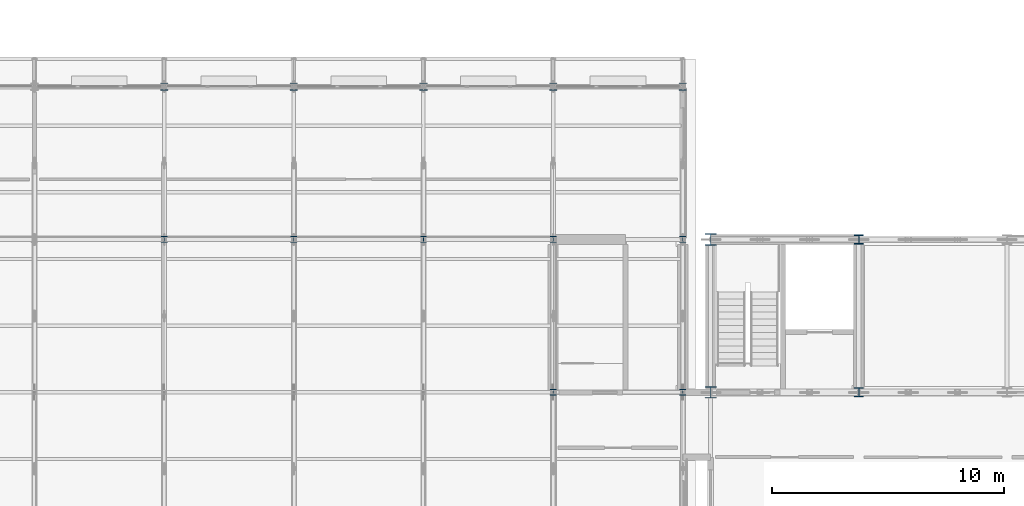
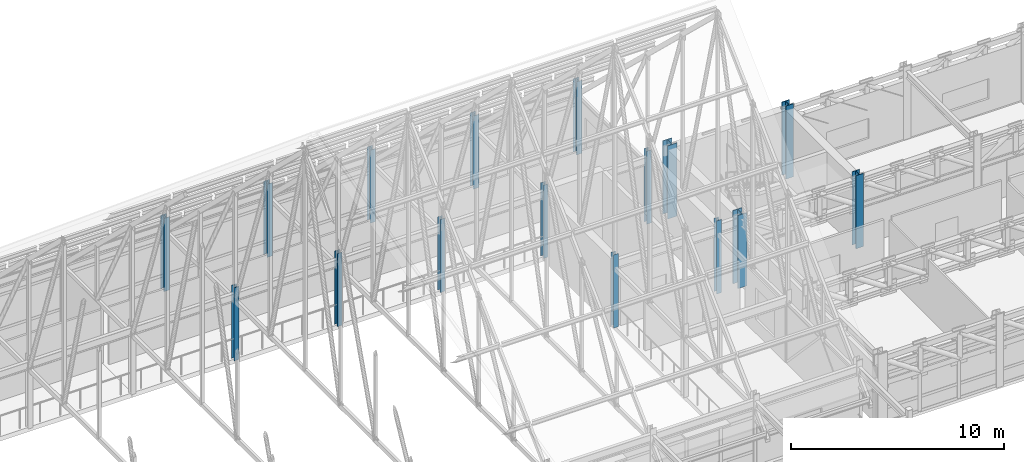
# One storey, part 4 of 144: 16 columns.
"""IFC4 building model written with IfcOpenShell, lengths in metres."""

import ifcopenshell
import ifcopenshell.guid

model = None  # the IFC model being written
_history = None  # IfcOwnerHistory: only IFC2X3 demands one
_inside = {}  # id of a spatial element -> (the spatial element, [elements in it])
_under = {}  # id of a project, library or spatial element -> (it, [spatial elements below it])
_declared = {}  # id of a project -> (the project, [libraries it declares])
_typed = {}  # id of a type object -> (the type object, [elements of that type])
_made_of = {}  # id of a material, layer set ... -> (it, [elements and type objects made of it])


def new_model(schema):
    """Start an empty IFC model of exactly this schema.

    Asked for "IFC4X3", IfcOpenShell would pick the latest addendum, in which some entities
    have other attributes; the version numbers below select the first issue.
    IFC2X3 requires an IfcOwnerHistory on every rooted entity: one is made here for all.
    """
    global model, _history
    if schema == "IFC4X3":
        model = ifcopenshell.file(schema_version=(4, 3, 0, 0))
    else:
        model = ifcopenshell.file(schema=schema)
    _inside.clear()
    _under.clear()
    _declared.clear()
    _typed.clear()
    _made_of.clear()
    _history = None
    if model.schema == "IFC2X3":
        org = make("IfcOrganization", Name="unknown")
        user = make(
            "IfcPersonAndOrganization",
            ThePerson=make("IfcPerson", FamilyName="unknown"),
            TheOrganization=org,
        )
        app = make(
            "IfcApplication",
            ApplicationDeveloper=org,
            Version="unknown",
            ApplicationFullName="unknown",
            ApplicationIdentifier="unknown",
        )
        _history = make(
            "IfcOwnerHistory",
            OwningUser=user,
            OwningApplication=app,
            ChangeAction="ADDED",
            CreationDate=0,
        )
    return model


def make(cls, **values):
    """One entity of the class cls with the attributes given. An attribute that is None is left unset."""
    return model.create_entity(
        cls, **{name: value for name, value in values.items() if value is not None}
    )


def rooted(cls, **values):
    """An entity with a GlobalId (a new one), such as an element, a storey or a relation."""
    return make(cls, GlobalId=ifcopenshell.guid.new(), OwnerHistory=_history, **values)


def si_unit(unit_type, name, prefix=None):
    """IfcSIUnit, for example si_unit("LENGTHUNIT", "METRE", prefix="MILLI")."""
    return make("IfcSIUnit", UnitType=unit_type, Prefix=prefix, Name=name)


def assignment(units):
    """IfcUnitAssignment: the units of a project."""
    return None if units is None else make("IfcUnitAssignment", Units=units)


def point(xyz):
    """IfcCartesianPoint."""
    return None if xyz is None else make("IfcCartesianPoint", Coordinates=xyz)


def direction(xyz):
    """IfcDirection."""
    return None if xyz is None else make("IfcDirection", DirectionRatios=xyz)


def frame(location, z_axis=None, x_axis=None):
    """IfcAxis2Placement3D, a coordinate frame: its origin and axes. An axis left out is left unset."""
    return make(
        "IfcAxis2Placement3D",
        Location=point(location),
        Axis=direction(z_axis),
        RefDirection=direction(x_axis),
    )


def frame_2d(location, x_axis=None):
    """IfcAxis2Placement2D, a coordinate frame in the plane: its origin and x axis."""
    return make(
        "IfcAxis2Placement2D", Location=point(location), RefDirection=direction(x_axis)
    )


def origin():
    """The frame at (0, 0, 0) with its axes left unset."""
    return frame((0.0, 0.0, 0.0))


def origin_2d():
    """The frame at (0, 0) in the plane with its x axis left unset."""
    return frame_2d((0.0, 0.0))


def place(relative_to, where):
    """IfcLocalPlacement: puts the frame where relative to a parent placement (None: the world)."""
    return make(
        "IfcLocalPlacement", PlacementRelTo=relative_to, RelativePlacement=where
    )


def context(
    kind, dimensions, precision=None, world=None, true_north=None, identifier=None
):
    """IfcGeometricRepresentationContext, for example the 3D "Model" context."""
    return make(
        "IfcGeometricRepresentationContext",
        ContextIdentifier=identifier,
        ContextType=kind,
        CoordinateSpaceDimension=dimensions,
        Precision=precision,
        WorldCoordinateSystem=world,
        TrueNorth=true_north,
    )


def subcontext(parent, identifier, kind, view, scale=None):
    """IfcGeometricRepresentationSubContext, for example "Body" below "Model"."""
    return make(
        "IfcGeometricRepresentationSubContext",
        ContextIdentifier=identifier,
        ContextType=kind,
        ParentContext=parent,
        TargetScale=scale,
        TargetView=view,
    )


def project(units=None, contexts=None):
    """IfcProject with its units and contexts."""
    return rooted(
        "IfcProject",
        Name="project",
        RepresentationContexts=contexts,
        UnitsInContext=assignment(units),
    )


def spatial(cls, under=None, at=None, **own):
    """A site, building, storey or space (cls), placed at a placement, below another one or the project."""
    s = rooted(cls, ObjectPlacement=at, **own)
    if under is not None:
        _under.setdefault(under.id(), (under, []))[1].append(s)
    return s


def profile(cls, at=None, kind="AREA", **sizes):
    """A parametric profile (cls). Its sizes go by their IFC names, for example OverallWidth=200.0."""
    return make(cls, ProfileType=kind, Position=at, **sizes)


def i_section(**sizes):
    """IfcIShapeProfileDef."""
    return profile("IfcIShapeProfileDef", **sizes)


def extrude(swept, where, along, depth):
    """IfcExtrudedAreaSolid: the profile swept, set in the frame where, extruded along a direction by depth."""
    return make(
        "IfcExtrudedAreaSolid",
        SweptArea=swept,
        Position=where,
        ExtrudedDirection=direction(along),
        Depth=depth,
    )


def shape(context_of_items, identifier, shape_type, items):
    """IfcShapeRepresentation: the items that make up one representation, for example the "Body"."""
    return make(
        "IfcShapeRepresentation",
        ContextOfItems=context_of_items,
        RepresentationIdentifier=identifier,
        RepresentationType=shape_type,
        Items=items,
    )


def material(Name=None, Category=None):
    """IfcMaterial."""
    return make("IfcMaterial", Name=Name, Category=Category)


def material_profile(
    of_material, cross_section, Name=None, Category=None, Priority=None
):
    """IfcMaterialProfile: a cross section and its material."""
    return make(
        "IfcMaterialProfile",
        Name=Name,
        Material=of_material,
        Profile=cross_section,
        Priority=Priority,
        Category=Category,
    )


def profile_set(profiles, Name=None, composite=None):
    """IfcMaterialProfileSet."""
    return make(
        "IfcMaterialProfileSet",
        Name=Name,
        MaterialProfiles=profiles,
        CompositeProfile=composite,
    )


def made_of(thing, what):
    """Note that an element or type object is made of a material, layer set ...; save() writes the relation."""
    if what is not None:
        _made_of.setdefault(what.id(), (what, []))[1].append(thing)
    return thing


def type_object(cls, material=None, **own):
    """A type object (cls), such as IfcWallType, which elements share."""
    return made_of(rooted(cls, **own), material)


def element(
    cls,
    number,
    at=None,
    inside=None,
    cuts=None,
    type_object=None,
    material=None,
    context=None,
    identifier="Body",
    shape_type=None,
    held_by="IfcProductDefinitionShape",
    body=None,
    shapes=None,
    **own,
):
    """One element of the class cls, such as IfcWall. Its Tag is "e" and its number.

    at: its placement. inside: the storey or other place that contains it. cuts: it is an
    opening in that element (IfcRelVoidsElement). A single representation is given by context,
    identifier, shape_type and body (its items); several are given by shapes. held_by: the class
    of the entity that holds the representations. save() writes the other relations.
    """
    e = rooted(cls, Tag="e%d" % number, ObjectPlacement=at, **own)
    if body is not None:
        shapes = [shape(context, identifier, shape_type, body)]
    if shapes is not None:
        e.Representation = make(held_by, Representations=shapes)
    if inside is not None:
        _inside.setdefault(inside.id(), (inside, []))[1].append(e)
    if cuts is not None:
        rooted(
            "IfcRelVoidsElement", RelatingBuildingElement=cuts, RelatedOpeningElement=e
        )
    if type_object is not None:
        _typed.setdefault(type_object.id(), (type_object, []))[1].append(e)
    return made_of(e, material)


def aggregate(whole, parts):
    """IfcRelAggregates: a whole, such as a stair, and the parts it consists of."""
    return rooted("IfcRelAggregates", RelatingObject=whole, RelatedObjects=parts)


def save(model, path):
    """Write the relations noted so far, then the file.

    IfcRelAggregates (storeys below a building ...), IfcRelContainedInSpatialStructure (elements
    in a storey), IfcRelDefinesByType, IfcRelAssociatesMaterial and IfcRelDeclares: one each for
    every whole, place, type object, material and project.
    """
    for whole, parts in _under.values():
        aggregate(whole, parts)
    for where, things in _inside.values():
        rooted(
            "IfcRelContainedInSpatialStructure",
            RelatedElements=things,
            RelatingStructure=where,
        )
    for kind, things in _typed.values():
        rooted("IfcRelDefinesByType", RelatedObjects=things, RelatingType=kind)
    for what, things in _made_of.values():
        rooted("IfcRelAssociatesMaterial", RelatedObjects=things, RelatingMaterial=what)
    for by, libraries in _declared.values():
        rooted("IfcRelDeclares", RelatingContext=by, RelatedDefinitions=libraries)
    model.write(path)


model = new_model("IFC4")

# Units and contexts
model_context = context("Model", 3, precision=1e-05, world=origin(), true_north=direction((0.0, 1.0)))
body_context = subcontext(model_context, "Body", "Model", "MODEL_VIEW")
ifc_project = project(units=[si_unit("LENGTHUNIT", "METRE"), si_unit("AREAUNIT", "SQUARE_METRE"), si_unit("VOLUMEUNIT", "CUBIC_METRE"), si_unit("PLANEANGLEUNIT", "RADIAN"), si_unit("MASSUNIT", "GRAM", prefix="KILO")], contexts=[model_context])

# Site, building, storey
site_placement = place(None, origin())
site = spatial("IfcSite", under=ifc_project, at=site_placement, CompositionType="ELEMENT")
building_placement = place(site_placement, origin())
building = spatial("IfcBuilding", under=site, at=building_placement, Name="Trelmorton Wharf Fire Station", CompositionType="ELEMENT")
storey_placement = place(building_placement, frame((0.0, 0.0, 5.39990234375)))
storey = spatial("IfcBuildingStorey", under=building, at=storey_placement, Name="L01", CompositionType="ELEMENT", Elevation=5.39990234375)

# Columns
ifc_material = material(Name="Steel Grade 350", Category="steel")
ifc_material_profile_1 = material_profile(ifc_material, i_section(OverallWidth=0.256103515625, OverallDepth=0.260009765625, WebThickness=0.010498046875, FlangeThickness=0.017333984375, FilletRadius=0.0126953125, at=origin_2d()), Name="250UC89.5")
ifc_profile_set_1 = profile_set([ifc_material_profile_1], Name="Steel Grade 350")
column_type_1 = type_object("IfcColumnType", Name="COL_250UC89", PredefinedType="COLUMN", material=ifc_profile_set_1)
for number, where, z_axis, x_axis, name in (
    (1, (34.39990234375, 27.60009765625, 0.0), (0.0, 0.0, 1.0), (1.0, 0.0, 0.0), "COL-L01-0300"),
    (2, (40.0, 27.60009765625, 0.0), (0.0, 0.0, 1.0), (1.0, 0.0, 0.0), "COL-L01-0308"),
    (3, (45.60009765625, 27.60009765625, 0.0), (0.0, 0.0, 1.0), (1.0, 0.0, 0.0), "COL-L01-0316"),
    (4, (51.199951171875, 21.0, 0.0), (0.0, 0.0, 1.0), (1.0, 0.0, 0.0), "COL-L01-0321"),
    (5, (51.199951171875, 27.60009765625, 0.0), (0.0, 0.0, 1.0), (1.0, 0.0, 0.0), "COL-L01-0322"),
    (6, (56.800048828125, 21.0, 0.0), (0.0, 0.0, 1.0), (1.0, 0.0, 0.0), "COL-L01-0327"),
    (7, (56.800048828125, 27.60009765625, 0.0), (0.0, 0.0, 1.0), (1.0, 0.0, 0.0), "COL-L01-0328"),
):
    element("IfcColumn", number, at=place(storey_placement, frame(where, z_axis=z_axis, x_axis=x_axis)), inside=storey, type_object=column_type_1, Name=name, PredefinedType="COLUMN", context=body_context, shape_type="SweptSolid", body=[
        extrude(i_section(OverallWidth=0.256103515625, OverallDepth=0.260009765625, WebThickness=0.010498046875, FlangeThickness=0.017333984375, FilletRadius=0.0126953125, at=origin_2d()), origin(), (0.0, 0.0, 1.0), 4.2001953125),
    ])
ifc_material_profile_2 = material_profile(ifc_material, i_section(OverallWidth=0.306884765625, OverallDepth=0.31494140625, WebThickness=0.011962890625, FlangeThickness=0.018798828125, FilletRadius=0.0166015625, at=origin_2d()), Name="310UC118")
ifc_profile_set_2 = profile_set([ifc_material_profile_2], Name="Steel Grade 350")
column_type_2 = type_object("IfcColumnType", Name="COL_310UC118", PredefinedType="COLUMN", material=ifc_profile_set_2)
for number, where, z_axis, x_axis, name in (
    (8, (34.39990234375, 34.199951171875, 0.0), (0.0, 0.0, 1.0), (1.0, 0.0, 0.0), "COL-L01-0301"),
    (9, (40.0, 34.199951171875, 0.0), (0.0, 0.0, 1.0), (1.0, 0.0, 0.0), "COL-L01-0309"),
    (10, (45.60009765625, 34.199951171875, 0.0), (0.0, 0.0, 1.0), (1.0, 0.0, 0.0), "COL-L01-0317"),
    (11, (51.199951171875, 34.199951171875, 0.0), (0.0, 0.0, 1.0), (1.0, 0.0, 0.0), "COL-L01-0323"),
    (12, (56.800048828125, 34.199951171875, 0.0), (0.0, 0.0, 1.0), (1.0, 0.0, 0.0), "COL-L01-0329"),
):
    element("IfcColumn", number, at=place(storey_placement, frame(where, z_axis=z_axis, x_axis=x_axis)), inside=storey, type_object=column_type_2, Name=name, PredefinedType="COLUMN", context=body_context, shape_type="SweptSolid", body=[
        extrude(i_section(OverallWidth=0.306884765625, OverallDepth=0.31494140625, WebThickness=0.011962890625, FlangeThickness=0.018798828125, FilletRadius=0.0166015625, at=origin_2d()), origin(), (0.0, 0.0, 1.0), 4.2001953125),
    ])
ifc_material_profile_3 = material_profile(ifc_material, i_section(OverallWidth=0.39990234375, OverallDepth=0.39990234375, WebThickness=0.02001953125, FlangeThickness=0.031982421875, at=origin_2d()), Name="400WC270")
ifc_profile_set_3 = profile_set([ifc_material_profile_3], Name="Steel Grade 350")
column_type_3 = type_object("IfcColumnType", Name="COL_400WC270", PredefinedType="COLUMN", material=ifc_profile_set_3)
for number, where, z_axis, x_axis, name in (
    (13, (64.39990234375, 21.0, 0.0), (0.0, 0.0, 1.0), (1.0, 0.0, 0.0), "COL-L01-0335"),
    (14, (64.39990234375, 27.60009765625, 0.0), (0.0, 0.0, 1.0), (1.0, 0.0, 0.0), "COL-L01-0336"),
):
    element("IfcColumn", number, at=place(storey_placement, frame(where, z_axis=z_axis, x_axis=x_axis)), inside=storey, type_object=column_type_3, Name=name, PredefinedType="COLUMN", context=body_context, shape_type="SweptSolid", body=[
        extrude(i_section(OverallWidth=0.39990234375, OverallDepth=0.39990234375, WebThickness=0.02001953125, FlangeThickness=0.031982421875, at=origin_2d()), origin(), (0.0, 0.0, 1.0), 4.2001953125),
    ])
ifc_material_profile_4 = material_profile(ifc_material, i_section(OverallWidth=0.5, OverallDepth=0.5, WebThickness=0.02001953125, FlangeThickness=0.035888671875, at=origin_2d()), Name="500WC340")
ifc_profile_set_4 = profile_set([ifc_material_profile_4], Name="Steel Grade 350")
column_type_4 = type_object("IfcColumnType", Name="COL_500WC340", PredefinedType="COLUMN", material=ifc_profile_set_4)
for number, where, z_axis, x_axis, name in (
    (15, (58.0, 21.0, 0.0), (0.0, 0.0, 1.0), (1.0, 0.0, 0.0), "COL-L01-0332"),
    (16, (58.0, 27.60009765625, 0.0), (0.0, 0.0, 1.0), (1.0, 0.0, 0.0), "COL-L01-0333"),
):
    element("IfcColumn", number, at=place(storey_placement, frame(where, z_axis=z_axis, x_axis=x_axis)), inside=storey, type_object=column_type_4, Name=name, PredefinedType="COLUMN", context=body_context, shape_type="SweptSolid", body=[
        extrude(i_section(OverallWidth=0.5, OverallDepth=0.5, WebThickness=0.02001953125, FlangeThickness=0.035888671875, at=origin_2d()), origin(), (0.0, 0.0, 1.0), 4.2001953125),
    ])

save(model, "model.ifc")
